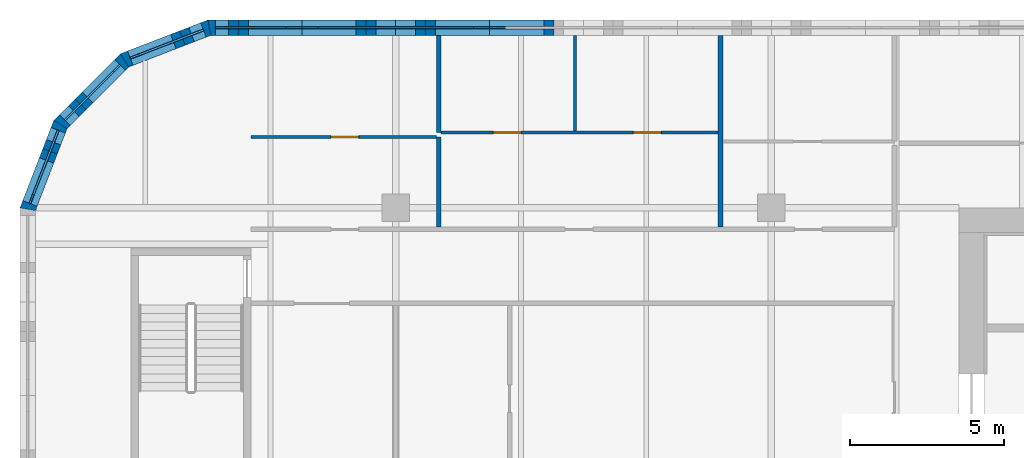
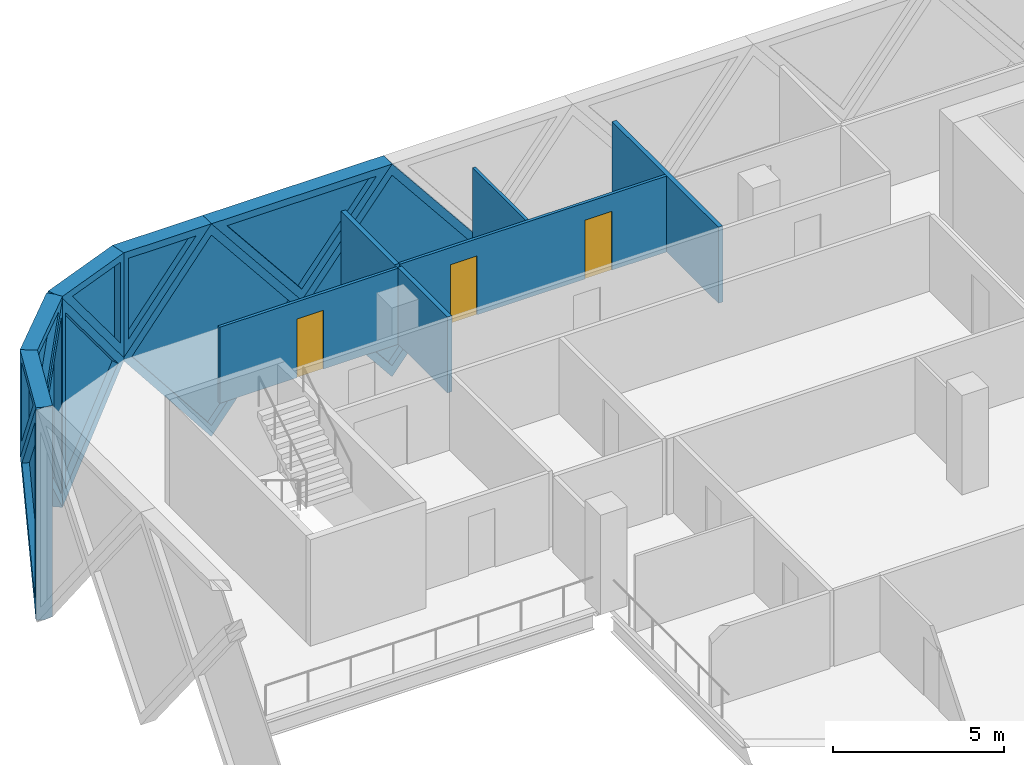
# One storey, part 11 of 24: 16 walls, 10 plates, 3 doors, 13 openings.
"""IFC4 building model written with IfcOpenShell, lengths in metres."""

from ifc_helpers import new_model, si_unit, direction, frame, frame_2d, origin, place, context, subcontext, project, spatial, polyline, rectangle, outline, extrude, faceted_brep, source, transform, mapped, material, layer, layer_set, type_object, element, fill, save


model = new_model("IFC4")

# Units and contexts
model_context = context("Model", 3, precision=1e-05, world=origin(), true_north=direction((0.0, 1.0)))
body_context = subcontext(model_context, "Body", "Model", "MODEL_VIEW")
ifc_project = project(units=[si_unit("LENGTHUNIT", "METRE"), si_unit("AREAUNIT", "SQUARE_METRE"), si_unit("VOLUMEUNIT", "CUBIC_METRE"), si_unit("PLANEANGLEUNIT", "RADIAN"), si_unit("MASSUNIT", "GRAM", prefix="KILO")], contexts=[model_context])

# Site, building, storey
site_placement = place(None, origin())
site = spatial("IfcSite", under=ifc_project, at=site_placement, CompositionType="ELEMENT")
building_placement = place(site_placement, origin())
building = spatial("IfcBuilding", under=site, at=building_placement, Name="Tessera Gate Towers", CompositionType="ELEMENT")
storey_placement = place(building_placement, frame((0.0, 0.0, 102.800048828125)))
storey = spatial("IfcBuildingStorey", under=building, at=storey_placement, Name="L25", CompositionType="ELEMENT", Elevation=102.800048828125)

# Wall, opening, door
ifc_material_1 = material(Name="Gypsum board on steel studs", Category="steel")
ifc_layer_1 = layer(ifc_material_1, 0.10009765625)
ifc_layer_set_1 = layer_set([ifc_layer_1], Name="PARTITION 100")
wall_type_1 = type_object("IfcWallType", Name="PARTITION 100", PredefinedType="PARTITIONING", material=ifc_layer_set_1)
wall_1_placement = place(storey_placement, frame((7.5, 51.10009765625, 0.0), z_axis=(0.0, 0.0, 1.0), x_axis=(1.0, 0.0, 0.0)))
wall_1 = element("IfcWall", 1, at=wall_1_placement, inside=storey, type_object=wall_type_1, Name="T1-L25-PW-053", PredefinedType="PARTITIONING", context=body_context, shape_type="SweptSolid", body=[
    extrude(rectangle(XDim=6.02392578125, YDim=0.10009765625, at=frame_2d((3.011962890625, 0.0))), origin(), (0.0, 0.0, 1.0), 2.71484375),
])
shared_shape_1 = source(origin(), body_context, "Body", "SweptSolid", [
    extrude(rectangle(XDim=0.89990234375, YDim=2.10009765625, at=frame_2d((0.449951171875, 1.050048828125))), frame((0.0, 0.06005859375, 0.0), z_axis=(0.0, -1.0, 0.0), x_axis=(1.0, 0.0, 0.0)), (0.0, 0.0, 1.0), 0.1201171875),
])
opening_1_placement = place(wall_1_placement, frame((2.60009765625, 0.0, 0.0)))
opening_1 = element("IfcOpeningElement", 2, at=opening_1_placement, cuts=wall_1, Name="Opening D190-A09-09", PredefinedType="OPENING", context=body_context, shape_type="MappedRepresentation", body=[
    mapped(shared_shape_1, transform((0.0, 0.0, 0.0), scale=1.0)),
])
ifc_material_2 = material(Name="Timber door leaf in steel frame", Category="steel")
door_type = type_object("IfcDoorType", Name="INTERNAL DOOR 900 NOT RATED", OperationType="NOTDEFINED", PredefinedType="DOOR", material=ifc_material_2)
shared_shape_2 = source(origin(), body_context, "Body", "SweptSolid", [
    extrude(rectangle(XDim=0.89990234375, YDim=2.10009765625, at=frame_2d((0.449951171875, 1.050048828125))), frame((0.0, 0.02490234375, 0.0), z_axis=(0.0, -1.0, 0.0), x_axis=(1.0, 0.0, 0.0)), (0.0, 0.0, 1.0), 0.050048828125),
])
door_1_placement = place(opening_1_placement, origin())
door_1 = element("IfcDoor", 3, at=door_1_placement, inside=storey, type_object=door_type, Name="T1-L25-PD-016", OperationType="SINGLE_SWING_LEFT", OverallHeight=2.10009765625, OverallWidth=0.89990234375, PredefinedType="DOOR", context=body_context, shape_type="MappedRepresentation", body=[
    mapped(shared_shape_2, transform((0.0, 0.0, 0.0), scale=1.0)),
])
fill(opening_1, door_1)

# Wall, openings, doors
wall_2_placement = place(storey_placement, frame((13.676025390625, 51.25, 0.0), z_axis=(0.0, 0.0, 1.0), x_axis=(1.0, 0.0, 0.0)))
wall_2 = element("IfcWall", 4, at=wall_2_placement, inside=storey, type_object=wall_type_1, Name="T1-L25-PW-055", PredefinedType="PARTITIONING", context=body_context, shape_type="SweptSolid", body=[
    extrude(rectangle(XDim=8.998046875, YDim=0.10009765625, at=frame_2d((4.4990234375, 0.0))), origin(), (0.0, 0.0, 1.0), 2.71484375),
])
opening_2_placement = place(wall_2_placement, frame((1.699951171875, 0.0, 0.0)))
opening_2 = element("IfcOpeningElement", 5, at=opening_2_placement, cuts=wall_2, Name="Opening D190-A09-01", PredefinedType="OPENING", context=body_context, shape_type="MappedRepresentation", body=[
    mapped(shared_shape_1, transform((0.0, 0.0, 0.0), scale=1.0)),
])
opening_3_placement = place(wall_2_placement, frame((6.244384765625, 0.0, 0.0)))
opening_3 = element("IfcOpeningElement", 6, at=opening_3_placement, cuts=wall_2, Name="Opening D190-A09-05", PredefinedType="OPENING", context=body_context, shape_type="MappedRepresentation", body=[
    mapped(shared_shape_1, transform((0.0, 0.0, 0.0), scale=1.0)),
])
door_2_placement = place(opening_2_placement, origin())
door_2 = element("IfcDoor", 7, at=door_2_placement, inside=storey, type_object=door_type, Name="T1-L25-PD-002", OperationType="SINGLE_SWING_LEFT", OverallHeight=2.10009765625, OverallWidth=0.89990234375, PredefinedType="DOOR", context=body_context, shape_type="MappedRepresentation", body=[
    mapped(shared_shape_2, transform((0.0, 0.0, 0.0), scale=1.0)),
])
fill(opening_2, door_2)
door_3_placement = place(opening_3_placement, origin())
door_3 = element("IfcDoor", 8, at=door_3_placement, inside=storey, type_object=door_type, Name="T1-L25-PD-006", OperationType="SINGLE_SWING_LEFT", OverallHeight=2.10009765625, OverallWidth=0.89990234375, PredefinedType="DOOR", context=body_context, shape_type="MappedRepresentation", body=[
    mapped(shared_shape_2, transform((0.0, 0.0, 0.0), scale=1.0)),
])
fill(opening_3, door_3)

# Walls
wall_3_placement = place(storey_placement, frame((18.02001953125, 51.301025390625, 0.0), z_axis=(0.0, 0.0, 1.0), x_axis=(0.0, 1.0, 0.0)))
element("IfcWall", 9, at=wall_3_placement, inside=storey, type_object=wall_type_1, Name="T1-L25-PW-056", PredefinedType="PARTITIONING", context=body_context, shape_type="SweptSolid", body=[
    extrude(rectangle(XDim=3.098876953125, YDim=0.10009765625, at=frame_2d((1.54931640625, 0.0))), origin(), (0.0, 0.0, 1.0), 2.71484375),
])
ifc_material_3 = material(Name="Gypsum board on steel studs, mineral wool", Category="steel")
ifc_layer_2 = layer(ifc_material_3, 0.14990234375)
ifc_layer_set_2 = layer_set([ifc_layer_2], Name="TENANCY WALL 150")
wall_type_2 = type_object("IfcWallType", Name="TENANCY WALL 150", PredefinedType="PARTITIONING", material=ifc_layer_set_2)
wall_4_placement = place(storey_placement, frame((13.60009765625, 48.176025390625, 0.0), z_axis=(0.0, 0.0, 1.0), x_axis=(0.0, 1.0, 0.0)))
element("IfcWall", 10, at=wall_4_placement, inside=storey, type_object=wall_type_2, Name="T1-L25-PW-045", PredefinedType="PARTITIONING", context=body_context, shape_type="SweptSolid", body=[
    extrude(rectangle(XDim=2.924072265625, YDim=0.14990234375, at=frame_2d((1.4619140625, 0.0))), origin(), (0.0, 0.0, 1.0), 2.71484375),
])
wall_5_placement = place(storey_placement, frame((22.75, 48.176025390625, 0.0), z_axis=(0.0, 0.0, 1.0), x_axis=(0.0, 1.0, 0.0)))
element("IfcWall", 11, at=wall_5_placement, inside=storey, type_object=wall_type_2, Name="T1-L25-PW-046", PredefinedType="PARTITIONING", context=body_context, shape_type="SweptSolid", body=[
    extrude(rectangle(XDim=6.223876953125, YDim=0.14990234375, at=frame_2d((3.11181640625, 0.0))), origin(), (0.0, 0.0, 1.0), 2.71484375),
])
wall_6_placement = place(storey_placement, frame((13.60009765625, 51.25, 0.0), z_axis=(0.0, 0.0, 1.0), x_axis=(0.0, 1.0, 0.0)))
element("IfcWall", 12, at=wall_6_placement, inside=storey, type_object=wall_type_2, Name="T1-L25-PW-054", PredefinedType="PARTITIONING", context=body_context, shape_type="SweptSolid", body=[
    extrude(rectangle(XDim=3.14990234375, YDim=0.14990234375, at=frame_2d((1.574951171875, 0.0))), origin(), (0.0, 0.0, 1.0), 2.71484375),
])

# Wall, opening, plate
ifc_material_4 = material(Name="Precast concrete C60/75 white", Category="concrete")
ifc_layer_3 = layer(ifc_material_4, 0.5)
ifc_layer_set_3 = layer_set([ifc_layer_3], Name="TS1 tessera")
wall_type_3 = type_object("IfcWallType", Name="TS1 tessera", PredefinedType="SOLIDWALL", material=ifc_layer_set_3)
shared_shape_3 = source(origin(), body_context, "Body", "SweptSolid", [
    extrude(outline(polyline([(3.050048828125, 0.0), (6.10009765625, 3.800048828125), (3.050048828125, 7.60009765625), (0.0, 3.800048828125), (3.050048828125, 0.0)])), frame((0.0, 0.25, 0.0), z_axis=(0.0, -1.0, 0.0), x_axis=(1.0, 0.0, 0.0)), (0.0, 0.0, 1.0), 0.5),
])
wall_7_placement = place(storey_placement, frame((18.300048828125, 54.64990234375, -3.800048828125), z_axis=(0.0, 0.0, 1.0), x_axis=(-1.0, 0.0, 0.0)))
wall_7 = element("IfcWall", 13, at=wall_7_placement, inside=storey, type_object=wall_type_3, Name="Precast tessera T1 TS1-0430", PredefinedType="SOLIDWALL", context=body_context, shape_type="MappedRepresentation", body=[
    mapped(shared_shape_3, transform((0.0, 0.0, 0.0), scale=1.0)),
])
shared_shape_4 = source(origin(), body_context, "Body", "SweptSolid", [
    extrude(outline(polyline([(3.050048828125, 0.3994140625), (5.779541015625, 3.800048828125), (3.050048828125, 7.20068359375), (0.320556640625, 3.800048828125), (3.050048828125, 0.3994140625)])), frame((0.0, 0.260009765625, 0.0), z_axis=(0.0, -1.0, 0.0), x_axis=(1.0, 0.0, 0.0)), (0.0, 0.0, 1.0), 0.52001953125),
])
opening_4_placement = place(wall_7_placement, origin())
opening_4 = element("IfcOpeningElement", 14, at=opening_4_placement, cuts=wall_7, Name="Opening T1-PL2-0870", PredefinedType="OPENING", context=body_context, shape_type="MappedRepresentation", body=[
    mapped(shared_shape_4, transform((0.0, 0.0, 0.0), scale=1.0)),
])
ifc_material_5 = material(Name="Low-e laminated glass", Category="glass")
ifc_layer_4 = layer(ifc_material_5, 0.06005859375)
ifc_layer_set_4 = layer_set([ifc_layer_4], Name="PL2 rhombic pane")
plate_type_1 = type_object("IfcPlateType", Name="PL2 rhombic pane", PredefinedType="SHEET", material=ifc_layer_set_4)
shared_shape_5 = source(origin(), body_context, "Body", "SweptSolid", [
    extrude(outline(polyline([(3.050048828125, 0.3994140625), (5.779541015625, 3.800048828125), (3.050048828125, 7.20068359375), (0.320556640625, 3.800048828125), (3.050048828125, 0.3994140625)])), frame((0.0, 0.030029296875, 0.0), z_axis=(0.0, -1.0, 0.0), x_axis=(1.0, 0.0, 0.0)), (0.0, 0.0, 1.0), 0.06005859375),
])
plate_1_placement = place(opening_4_placement, origin())
plate_1 = element("IfcPlate", 15, at=plate_1_placement, inside=storey, type_object=plate_type_1, Name="Glass pane T1 PL2-0870", PredefinedType="SHEET", context=body_context, shape_type="MappedRepresentation", body=[
    mapped(shared_shape_5, transform((0.0, 0.0, 0.0), scale=1.0)),
])
fill(opening_4, plate_1)

shared_shape_6 = source(origin(), body_context, "Body", "Brep", [
    faceted_brep([(3.050048828125, -0.25, 0.0), (6.053466796875, -0.25, 3.800048828125), (3.050048828125, -0.25, 7.60009765625), (0.0, -0.25, 3.800048828125), (0.0, 0.25, 3.800048828125), (3.050048828125, 0.25, 7.60009765625), (6.0068359375, 0.25, 3.85888671875), (6.0068359375, 0.25, 3.7412109375), (3.050048828125, 0.25, 0.0), (6.053466796875, 0.0, 3.800048828125)], [[[0, 1, 2, 3]], [[4, 5, 6, 7, 8]], [[8, 7, 9, 1, 0]], [[6, 5, 2, 1, 9]], [[5, 4, 3, 2]], [[4, 8, 0, 3]], [[9, 7, 6]]]),
])
wall_8_placement = place(storey_placement, frame((12.199951171875, 54.64990234375, -3.800048828125), z_axis=(0.0, 0.0, 1.0), x_axis=(-1.0, 0.0, 0.0)))
wall_8 = element("IfcWall", 16, at=wall_8_placement, inside=storey, type_object=wall_type_3, Name="Precast tessera T1 TS1-0431", PredefinedType="SOLIDWALL", context=body_context, shape_type="MappedRepresentation", body=[
    mapped(shared_shape_6, transform((0.0, 0.0, 0.0), scale=1.0)),
])
shared_shape_7 = source(origin(), body_context, "Body", "SweptSolid", [
    extrude(outline(polyline([(3.048583984375, 0.4013671875), (5.73486328125, 3.800048828125), (3.048583984375, 7.19873046875), (0.320556640625, 3.800048828125), (3.048583984375, 0.4013671875)])), frame((0.0, 0.260009765625, 0.0), z_axis=(0.0, -1.0, 0.0), x_axis=(1.0, 0.0, 0.0)), (0.0, 0.0, 1.0), 0.52001953125),
])
opening_5_placement = place(wall_8_placement, origin())
opening_5 = element("IfcOpeningElement", 17, at=opening_5_placement, cuts=wall_8, Name="Opening T1-PL2-0871", PredefinedType="OPENING", context=body_context, shape_type="MappedRepresentation", body=[
    mapped(shared_shape_7, transform((0.0, 0.0, 0.0), scale=1.0)),
])
shared_shape_8 = source(origin(), body_context, "Body", "SweptSolid", [
    extrude(outline(polyline([(3.048583984375, 0.4013671875), (5.73486328125, 3.800048828125), (3.048583984375, 7.19873046875), (0.320556640625, 3.800048828125), (3.048583984375, 0.4013671875)])), frame((0.0, 0.030029296875, 0.0), z_axis=(0.0, -1.0, 0.0), x_axis=(1.0, 0.0, 0.0)), (0.0, 0.0, 1.0), 0.06005859375),
])
plate_2_placement = place(opening_5_placement, origin())
plate_2 = element("IfcPlate", 18, at=plate_2_placement, inside=storey, type_object=plate_type_1, Name="Glass pane T1 PL2-0871", PredefinedType="SHEET", context=body_context, shape_type="MappedRepresentation", body=[
    mapped(shared_shape_8, transform((0.0, 0.0, 0.0), scale=1.0)),
])
fill(opening_5, plate_2)

ifc_material_6 = material(Name="Precast concrete C60/75 white", Category="concrete")
ifc_layer_5 = layer(ifc_material_6, 0.5)
ifc_layer_set_5 = layer_set([ifc_layer_5], Name="TS3 corner tessera")
wall_type_4 = type_object("IfcWallType", Name="TS3 corner tessera", PredefinedType="SOLIDWALL", material=ifc_layer_set_5)
shared_shape_9 = source(origin(), body_context, "Body", "Brep", [
    faceted_brep([(2.950439453125, -0.25, 0.0), (3.00341796875, -0.25, 0.068359375), (3.00341796875, -0.25, 7.53173828125), (2.950439453125, -0.25, 7.60009765625), (0.0, -0.25, 3.800048828125), (0.046630859375, 0.25, 3.860107421875), (2.897705078125, 0.25, 7.531982421875), (2.897705078125, 0.25, 0.068115234375), (0.046630859375, 0.25, 3.739990234375), (2.950439453125, 0.00048828125, 0.0), (2.950439453125, 0.00048828125, 7.60009765625), (0.0, 0.0, 3.800048828125)], [[[0, 1, 2, 3, 4]], [[5, 6, 7, 8]], [[1, 0, 9]], [[10, 3, 2]], [[6, 5, 11, 4, 3, 10]], [[8, 7, 9, 0, 4, 11]], [[8, 11, 5]], [[1, 9, 7, 6, 10, 2]]]),
])
wall_9_placement = place(storey_placement, frame((6.146484375, 54.64990234375, -3.800048828125), z_axis=(0.0, 0.0, 1.0), x_axis=(-0.932997369089, -0.359883188373, 0.0)))
wall_9 = element("IfcWall", 19, at=wall_9_placement, inside=storey, type_object=wall_type_4, Name="Precast corner tessera T1 TS3-0561", PredefinedType="SOLIDWALL", context=body_context, shape_type="MappedRepresentation", body=[
    mapped(shared_shape_9, transform((0.0, 0.0, 0.0), scale=1.0)),
])
shared_shape_10 = source(origin(), body_context, "Body", "SweptSolid", [
    extrude(outline(polyline([(2.75048828125, 6.934814453125), (0.31640625, 3.800048828125), (2.75048828125, 0.665283203125), (2.75048828125, 6.934814453125)])), frame((0.0, 0.260009765625, 0.0), z_axis=(0.0, -1.0, 0.0), x_axis=(1.0, 0.0, 0.0)), (0.0, 0.0, 1.0), 0.52001953125),
])
opening_6_placement = place(wall_9_placement, origin())
opening_6 = element("IfcOpeningElement", 20, at=opening_6_placement, cuts=wall_9, Name="Opening T1-PL2-0872", PredefinedType="OPENING", context=body_context, shape_type="MappedRepresentation", body=[
    mapped(shared_shape_10, transform((0.0, 0.0, 0.0), scale=1.0)),
])
shared_shape_11 = source(origin(), body_context, "Body", "SweptSolid", [
    extrude(outline(polyline([(2.75048828125, 6.934814453125), (0.31640625, 3.800048828125), (2.75048828125, 0.665283203125), (2.75048828125, 6.934814453125)])), frame((0.0, 0.030029296875, 0.0), z_axis=(0.0, -1.0, 0.0), x_axis=(1.0, 0.0, 0.0)), (0.0, 0.0, 1.0), 0.06005859375),
])
plate_3_placement = place(opening_6_placement, origin())
plate_3 = element("IfcPlate", 21, at=plate_3_placement, inside=storey, type_object=plate_type_1, Name="Glass pane T1 PL2-0872", PredefinedType="SHEET", context=body_context, shape_type="MappedRepresentation", body=[
    mapped(shared_shape_11, transform((0.0, 0.0, 0.0), scale=1.0)),
])
fill(opening_6, plate_3)

shared_shape_12 = source(origin(), body_context, "Body", "Brep", [
    faceted_brep([(0.052978515625, -0.25, 0.0), (2.9970703125, -0.25, 3.800048828125), (0.052978515625, -0.25, 7.60009765625), (0.0, -0.25, 7.531982421875), (0.0, -0.25, 0.068115234375), (0.10595703125, 0.25, 7.53173828125), (2.944091796875, 0.25, 3.8681640625), (2.944091796875, 0.25, 3.73193359375), (0.10595703125, 0.25, 0.068359375), (2.9970703125, 0.000244140625, 3.800048828125), (0.052978515625, 0.0, 0.0), (0.052978515625, 0.0, 7.60009765625)], [[[0, 1, 2, 3, 4]], [[5, 6, 7, 8]], [[8, 7, 9, 1, 0, 10]], [[6, 5, 11, 2, 1, 9]], [[3, 2, 11]], [[10, 0, 4]], [[8, 10, 4, 3, 11, 5]], [[9, 7, 6]]]),
])
wall_10_placement = place(storey_placement, frame((3.43115234375, 53.62548828125, -3.800048828125), z_axis=(0.0, 0.0, 1.0), x_axis=(-0.707106781187, -0.707106781187, 0.0)))
wall_10 = element("IfcWall", 22, at=wall_10_placement, inside=storey, type_object=wall_type_4, Name="Precast corner tessera T1 TS3-0562", PredefinedType="SOLIDWALL", context=body_context, shape_type="MappedRepresentation", body=[
    mapped(shared_shape_12, transform((0.0, 0.0, 0.0), scale=1.0)),
])
shared_shape_13 = source(origin(), body_context, "Body", "SweptSolid", [
    extrude(outline(polyline([(0.2529296875, 0.666259765625), (2.680908203125, 3.800048828125), (0.2529296875, 6.93359375), (0.2529296875, 0.666259765625)])), frame((0.0, 0.260009765625, 0.0), z_axis=(0.0, -1.0, 0.0), x_axis=(1.0, 0.0, 0.0)), (0.0, 0.0, 1.0), 0.52001953125),
])
opening_7_placement = place(wall_10_placement, origin())
opening_7 = element("IfcOpeningElement", 23, at=opening_7_placement, cuts=wall_10, Name="Opening T1-PL2-0873", PredefinedType="OPENING", context=body_context, shape_type="MappedRepresentation", body=[
    mapped(shared_shape_13, transform((0.0, 0.0, 0.0), scale=1.0)),
])
shared_shape_14 = source(origin(), body_context, "Body", "SweptSolid", [
    extrude(outline(polyline([(0.2529296875, 0.666259765625), (2.680908203125, 3.800048828125), (0.2529296875, 6.93359375), (0.2529296875, 0.666259765625)])), frame((0.0, 0.030029296875, 0.0), z_axis=(0.0, -1.0, 0.0), x_axis=(1.0, 0.0, 0.0)), (0.0, 0.0, 1.0), 0.06005859375),
])
plate_4_placement = place(opening_7_placement, origin())
plate_4 = element("IfcPlate", 24, at=plate_4_placement, inside=storey, type_object=plate_type_1, Name="Glass pane T1 PL2-0873", PredefinedType="SHEET", context=body_context, shape_type="MappedRepresentation", body=[
    mapped(shared_shape_14, transform((0.0, 0.0, 0.0), scale=1.0)),
])
fill(opening_7, plate_4)

shared_shape_15 = source(origin(), body_context, "Body", "Brep", [
    faceted_brep([(2.950439453125, -0.25, 0.0), (2.9970703125, -0.25, 0.05908203125), (2.9970703125, -0.25, 7.541015625), (2.950439453125, -0.25, 7.60009765625), (0.0, -0.25, 3.800048828125), (0.052978515625, 0.25, 3.8681640625), (2.904052734375, 0.25, 7.540283203125), (2.904052734375, 0.25, 0.059814453125), (0.052978515625, 0.25, 3.73193359375), (2.950439453125, 0.00048828125, 0.0), (2.950439453125, 0.00048828125, 7.60009765625), (0.0, 0.0, 3.800048828125)], [[[0, 1, 2, 3, 4]], [[5, 6, 7, 8]], [[1, 0, 9]], [[10, 3, 2]], [[6, 5, 11, 4, 3, 10]], [[8, 7, 9, 0, 4, 11]], [[8, 11, 5]], [[1, 9, 7, 6, 10, 2]]]),
])
wall_11_placement = place(storey_placement, frame((1.31201171875, 51.50634765625, -3.800048828125), z_axis=(0.0, 0.0, 1.0), x_axis=(-0.359944998003, -0.932973525033, 0.0)))
wall_11 = element("IfcWall", 25, at=wall_11_placement, inside=storey, type_object=wall_type_4, Name="Precast corner tessera T1 TS3-0563", PredefinedType="SOLIDWALL", context=body_context, shape_type="MappedRepresentation", body=[
    mapped(shared_shape_15, transform((0.0, 0.0, 0.0), scale=1.0)),
])
opening_8_placement = place(wall_11_placement, origin())
opening_8 = element("IfcOpeningElement", 26, at=opening_8_placement, cuts=wall_11, Name="Opening T1-PL2-0874", PredefinedType="OPENING", context=body_context, shape_type="MappedRepresentation", body=[
    mapped(shared_shape_10, transform((0.0, 0.0, 0.0), scale=1.0)),
])
plate_5_placement = place(opening_8_placement, origin())
plate_5 = element("IfcPlate", 27, at=plate_5_placement, inside=storey, type_object=plate_type_1, Name="Glass pane T1 PL2-0874", PredefinedType="SHEET", context=body_context, shape_type="MappedRepresentation", body=[
    mapped(shared_shape_11, transform((0.0, 0.0, 0.0), scale=1.0)),
])
fill(opening_8, plate_5)

ifc_material_7 = material(Name="Precast concrete C60/75 white", Category="concrete")
ifc_layer_6 = layer(ifc_material_7, 0.5)
ifc_layer_set_6 = layer_set([ifc_layer_6], Name="TS2 half tessera")
wall_type_5 = type_object("IfcWallType", Name="TS2 half tessera", PredefinedType="SOLIDWALL", material=ifc_layer_set_6)
shared_shape_16 = source(origin(), body_context, "Body", "SweptSolid", [
    extrude(outline(polyline([(3.050048828125, 0.0), (6.10009765625, 3.800048828125), (0.0, 3.800048828125), (3.050048828125, 0.0)])), frame((0.0, 0.25, 0.0), z_axis=(0.0, -1.0, 0.0), x_axis=(1.0, 0.0, 0.0)), (0.0, 0.0, 1.0), 0.5),
])
wall_12_placement = place(storey_placement, frame((15.25, 54.64990234375, 0.0), z_axis=(0.0, 0.0, 1.0), x_axis=(-1.0, 0.0, 0.0)))
wall_12 = element("IfcWall", 28, at=wall_12_placement, inside=storey, type_object=wall_type_5, Name="Precast half tessera T1 TS2-0131", PredefinedType="SOLIDWALL", context=body_context, shape_type="MappedRepresentation", body=[
    mapped(shared_shape_16, transform((0.0, 0.0, 0.0), scale=1.0)),
])
shared_shape_17 = source(origin(), body_context, "Body", "SweptSolid", [
    extrude(outline(polyline([(3.050048828125, 0.3994140625), (5.578857421875, 3.550048828125), (0.521240234375, 3.550048828125), (3.050048828125, 0.3994140625)])), frame((0.0, 0.260009765625, 0.0), z_axis=(0.0, -1.0, 0.0), x_axis=(1.0, 0.0, 0.0)), (0.0, 0.0, 1.0), 0.52001953125),
])
opening_9_placement = place(wall_12_placement, origin())
opening_9 = element("IfcOpeningElement", 29, at=opening_9_placement, cuts=wall_12, Name="Opening T1-PL1-0261", PredefinedType="OPENING", context=body_context, shape_type="MappedRepresentation", body=[
    mapped(shared_shape_17, transform((0.0, 0.0, 0.0), scale=1.0)),
])
ifc_material_8 = material(Name="Low-e laminated glass", Category="glass")
ifc_layer_7 = layer(ifc_material_8, 0.06005859375)
ifc_layer_set_7 = layer_set([ifc_layer_7], Name="PL1 triangular pane")
plate_type_2 = type_object("IfcPlateType", Name="PL1 triangular pane", PredefinedType="SHEET", material=ifc_layer_set_7)
shared_shape_18 = source(origin(), body_context, "Body", "SweptSolid", [
    extrude(outline(polyline([(3.050048828125, 0.3994140625), (5.578857421875, 3.550048828125), (0.521240234375, 3.550048828125), (3.050048828125, 0.3994140625)])), frame((0.0, 0.030029296875, 0.0), z_axis=(0.0, -1.0, 0.0), x_axis=(1.0, 0.0, 0.0)), (0.0, 0.0, 1.0), 0.06005859375),
])
plate_6_placement = place(opening_9_placement, origin())
plate_6 = element("IfcPlate", 30, at=plate_6_placement, inside=storey, type_object=plate_type_2, Name="Glass pane T1 PL1-0261", PredefinedType="SHEET", context=body_context, shape_type="MappedRepresentation", body=[
    mapped(shared_shape_18, transform((0.0, 0.0, 0.0), scale=1.0)),
])
fill(opening_9, plate_6)

shared_shape_19 = source(origin(), body_context, "Body", "Brep", [
    faceted_brep([(3.00341796875, -0.25, 0.0), (3.050048828125, -0.25, 0.06005859375), (3.050048828125, -0.25, 3.800048828125), (0.0, -0.25, 3.800048828125), (0.0, 0.25, 3.800048828125), (2.956787109375, 0.25, 3.800048828125), (2.956787109375, 0.25, 0.058837890625), (3.00341796875, 0.000244140625, 0.0)], [[[0, 1, 2, 3]], [[4, 5, 6]], [[1, 0, 7]], [[5, 4, 3, 2]], [[4, 6, 7, 0, 3]], [[1, 7, 6, 5, 2]]]),
])
wall_13_placement = place(storey_placement, frame((9.14990234375, 54.64990234375, 0.0), z_axis=(0.0, 0.0, 1.0), x_axis=(-1.0, 0.0, 0.0)))
wall_13 = element("IfcWall", 31, at=wall_13_placement, inside=storey, type_object=wall_type_4, Name="Precast corner tessera T1 TS3-0587", PredefinedType="SOLIDWALL", context=body_context, shape_type="MappedRepresentation", body=[
    mapped(shared_shape_19, transform((0.0, 0.0, 0.0), scale=1.0)),
])
shared_shape_20 = source(origin(), body_context, "Body", "SweptSolid", [
    extrude(outline(polyline([(2.803466796875, 3.550048828125), (0.516357421875, 3.550048828125), (2.803466796875, 0.65625), (2.803466796875, 3.550048828125)])), frame((0.0, 0.260009765625, 0.0), z_axis=(0.0, -1.0, 0.0), x_axis=(1.0, 0.0, 0.0)), (0.0, 0.0, 1.0), 0.52001953125),
])
opening_10_placement = place(wall_13_placement, origin())
opening_10 = element("IfcOpeningElement", 32, at=opening_10_placement, cuts=wall_13, Name="Opening T1-PL1-0262", PredefinedType="OPENING", context=body_context, shape_type="MappedRepresentation", body=[
    mapped(shared_shape_20, transform((0.0, 0.0, 0.0), scale=1.0)),
])
shared_shape_21 = source(origin(), body_context, "Body", "SweptSolid", [
    extrude(outline(polyline([(2.803466796875, 3.550048828125), (0.516357421875, 3.550048828125), (2.803466796875, 0.65625), (2.803466796875, 3.550048828125)])), frame((0.0, 0.030029296875, 0.0), z_axis=(0.0, -1.0, 0.0), x_axis=(1.0, 0.0, 0.0)), (0.0, 0.0, 1.0), 0.06005859375),
])
plate_7_placement = place(opening_10_placement, origin())
plate_7 = element("IfcPlate", 33, at=plate_7_placement, inside=storey, type_object=plate_type_2, Name="Glass pane T1 PL1-0262", PredefinedType="SHEET", context=body_context, shape_type="MappedRepresentation", body=[
    mapped(shared_shape_21, transform((0.0, 0.0, 0.0), scale=1.0)),
])
fill(opening_10, plate_7)

shared_shape_22 = source(origin(), body_context, "Body", "Brep", [
    faceted_brep([(0.046630859375, -0.25, 0.0), (2.9970703125, -0.25, 3.800048828125), (0.0, -0.25, 3.800048828125), (0.0, -0.25, 0.058837890625), (0.09326171875, 0.25, 3.800048828125), (2.9443359375, 0.25, 3.800048828125), (2.9443359375, 0.25, 3.73193359375), (0.09326171875, 0.25, 0.06005859375), (2.9970703125, 0.00048828125, 3.800048828125), (0.046630859375, 0.0, 0.0)], [[[0, 1, 2, 3]], [[4, 5, 6, 7]], [[7, 6, 8, 1, 0, 9]], [[5, 4, 2, 1, 8]], [[9, 0, 3]], [[7, 9, 3, 2, 4]], [[6, 5, 8]]]),
])
wall_14_placement = place(storey_placement, frame((6.18994140625, 54.666748046875, 0.0), z_axis=(0.0, 0.0, 1.0), x_axis=(-0.932990326376, -0.359901446078, 0.0)))
wall_14 = element("IfcWall", 34, at=wall_14_placement, inside=storey, type_object=wall_type_4, Name="Precast corner tessera T1 TS3-0588", PredefinedType="SOLIDWALL", context=body_context, shape_type="MappedRepresentation", body=[
    mapped(shared_shape_22, transform((0.0, 0.0, 0.0), scale=1.0)),
])
shared_shape_23 = source(origin(), body_context, "Body", "SweptSolid", [
    extrude(outline(polyline([(0.24658203125, 0.665283203125), (2.486572265625, 3.550048828125), (0.24658203125, 3.550048828125), (0.24658203125, 0.665283203125)])), frame((0.0, 0.260009765625, 0.0), z_axis=(0.0, -1.0, 0.0), x_axis=(1.0, 0.0, 0.0)), (0.0, 0.0, 1.0), 0.52001953125),
])
opening_11_placement = place(wall_14_placement, origin())
opening_11 = element("IfcOpeningElement", 35, at=opening_11_placement, cuts=wall_14, Name="Opening T1-PL1-0263", PredefinedType="OPENING", context=body_context, shape_type="MappedRepresentation", body=[
    mapped(shared_shape_23, transform((0.0, 0.0, 0.0), scale=1.0)),
])
shared_shape_24 = source(origin(), body_context, "Body", "SweptSolid", [
    extrude(outline(polyline([(0.24658203125, 0.665283203125), (2.486572265625, 3.550048828125), (0.24658203125, 3.550048828125), (0.24658203125, 0.665283203125)])), frame((0.0, 0.030029296875, 0.0), z_axis=(0.0, -1.0, 0.0), x_axis=(1.0, 0.0, 0.0)), (0.0, 0.0, 1.0), 0.06005859375),
])
plate_8_placement = place(opening_11_placement, origin())
plate_8 = element("IfcPlate", 36, at=plate_8_placement, inside=storey, type_object=plate_type_2, Name="Glass pane T1 PL1-0263", PredefinedType="SHEET", context=body_context, shape_type="MappedRepresentation", body=[
    mapped(shared_shape_24, transform((0.0, 0.0, 0.0), scale=1.0)),
])
fill(opening_11, plate_8)

shared_shape_25 = source(origin(), body_context, "Body", "Brep", [
    faceted_brep([(0.052978515625, -0.25, 0.0), (3.00341796875, -0.25, 3.800048828125), (0.0, -0.25, 3.800048828125), (0.0, -0.25, 0.068359375), (0.10595703125, 0.25, 3.800048828125), (2.95703125, 0.25, 3.800048828125), (2.95703125, 0.25, 3.740234375), (0.10595703125, 0.25, 0.068115234375), (3.00341796875, 0.00048828125, 3.800048828125), (0.052978515625, 0.0, 0.0)], [[[0, 1, 2, 3]], [[4, 5, 6, 7]], [[7, 6, 8, 1, 0, 9]], [[5, 4, 2, 1, 8]], [[9, 0, 3]], [[7, 9, 3, 2, 4]], [[6, 5, 8]]]),
])
wall_15_placement = place(storey_placement, frame((1.3310546875, 51.5556640625, 0.0), z_axis=(0.0, 0.0, 1.0), x_axis=(-0.35992665181, -0.932980602862, 0.0)))
wall_15 = element("IfcWall", 37, at=wall_15_placement, inside=storey, type_object=wall_type_4, Name="Precast corner tessera T1 TS3-0590", PredefinedType="SOLIDWALL", context=body_context, shape_type="MappedRepresentation", body=[
    mapped(shared_shape_25, transform((0.0, 0.0, 0.0), scale=1.0)),
])
shared_shape_26 = source(origin(), body_context, "Body", "SweptSolid", [
    extrude(outline(polyline([(0.2529296875, 0.665283203125), (2.492919921875, 3.550048828125), (0.2529296875, 3.550048828125), (0.2529296875, 0.665283203125)])), frame((0.0, 0.260009765625, 0.0), z_axis=(0.0, -1.0, 0.0), x_axis=(1.0, 0.0, 0.0)), (0.0, 0.0, 1.0), 0.52001953125),
])
opening_12_placement = place(wall_15_placement, origin())
opening_12 = element("IfcOpeningElement", 38, at=opening_12_placement, cuts=wall_15, Name="Opening T1-PL1-0265", PredefinedType="OPENING", context=body_context, shape_type="MappedRepresentation", body=[
    mapped(shared_shape_26, transform((0.0, 0.0, 0.0), scale=1.0)),
])
shared_shape_27 = source(origin(), body_context, "Body", "SweptSolid", [
    extrude(outline(polyline([(0.2529296875, 0.665283203125), (2.492919921875, 3.550048828125), (0.2529296875, 3.550048828125), (0.2529296875, 0.665283203125)])), frame((0.0, 0.030029296875, 0.0), z_axis=(0.0, -1.0, 0.0), x_axis=(1.0, 0.0, 0.0)), (0.0, 0.0, 1.0), 0.06005859375),
])
plate_9_placement = place(opening_12_placement, origin())
plate_9 = element("IfcPlate", 39, at=plate_9_placement, inside=storey, type_object=plate_type_2, Name="Glass pane T1 PL1-0265", PredefinedType="SHEET", context=body_context, shape_type="MappedRepresentation", body=[
    mapped(shared_shape_27, transform((0.0, 0.0, 0.0), scale=1.0)),
])
fill(opening_12, plate_9)

shared_shape_28 = source(origin(), body_context, "Body", "Brep", [
    faceted_brep([(2.944091796875, -0.25, 0.0), (2.9970703125, -0.25, 0.068115234375), (2.9970703125, -0.25, 3.800048828125), (0.0, -0.25, 3.800048828125), (0.052978515625, 0.25, 3.800048828125), (2.89111328125, 0.25, 3.800048828125), (2.89111328125, 0.25, 0.068115234375), (0.052978515625, 0.25, 3.731689453125), (2.944091796875, 0.000244140625, 0.0), (0.0, 0.0, 3.800048828125)], [[[0, 1, 2, 3]], [[4, 5, 6, 7]], [[1, 0, 8]], [[5, 4, 9, 3, 2]], [[7, 6, 8, 0, 3, 9]], [[7, 9, 4]], [[1, 8, 6, 5, 2]]]),
])
wall_16_placement = place(storey_placement, frame((3.393798828125, 53.588134765625, 0.0), z_axis=(0.0, 0.0, 1.0), x_axis=(-0.707106781187, -0.707106781187, 0.0)))
wall_16 = element("IfcWall", 40, at=wall_16_placement, inside=storey, type_object=wall_type_4, Name="Precast corner tessera T1 TS3-0589", PredefinedType="SOLIDWALL", context=body_context, shape_type="MappedRepresentation", body=[
    mapped(shared_shape_28, transform((0.0, 0.0, 0.0), scale=1.0)),
])
shared_shape_29 = source(origin(), body_context, "Body", "SweptSolid", [
    extrude(outline(polyline([(2.744140625, 3.550048828125), (0.510009765625, 3.550048828125), (2.744140625, 0.666259765625), (2.744140625, 3.550048828125)])), frame((0.0, 0.260009765625, 0.0), z_axis=(0.0, -1.0, 0.0), x_axis=(1.0, 0.0, 0.0)), (0.0, 0.0, 1.0), 0.52001953125),
])
opening_13_placement = place(wall_16_placement, origin())
opening_13 = element("IfcOpeningElement", 41, at=opening_13_placement, cuts=wall_16, Name="Opening T1-PL1-0264", PredefinedType="OPENING", context=body_context, shape_type="MappedRepresentation", body=[
    mapped(shared_shape_29, transform((0.0, 0.0, 0.0), scale=1.0)),
])
shared_shape_30 = source(origin(), body_context, "Body", "SweptSolid", [
    extrude(outline(polyline([(2.744140625, 3.550048828125), (0.510009765625, 3.550048828125), (2.744140625, 0.666259765625), (2.744140625, 3.550048828125)])), frame((0.0, 0.030029296875, 0.0), z_axis=(0.0, -1.0, 0.0), x_axis=(1.0, 0.0, 0.0)), (0.0, 0.0, 1.0), 0.06005859375),
])
plate_10_placement = place(opening_13_placement, origin())
plate_10 = element("IfcPlate", 42, at=plate_10_placement, inside=storey, type_object=plate_type_2, Name="Glass pane T1 PL1-0264", PredefinedType="SHEET", context=body_context, shape_type="MappedRepresentation", body=[
    mapped(shared_shape_30, transform((0.0, 0.0, 0.0), scale=1.0)),
])
fill(opening_13, plate_10)

save(model, "model.ifc")
